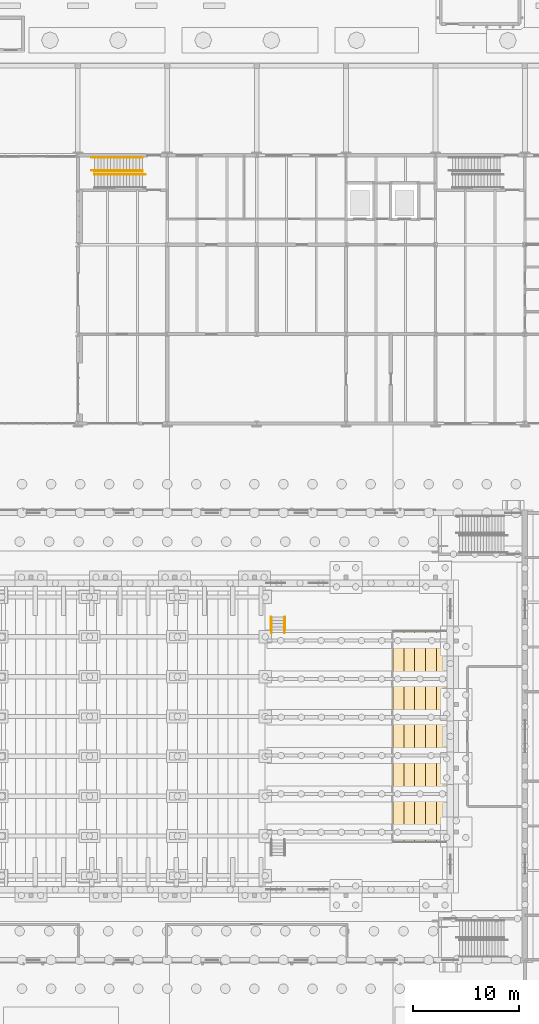
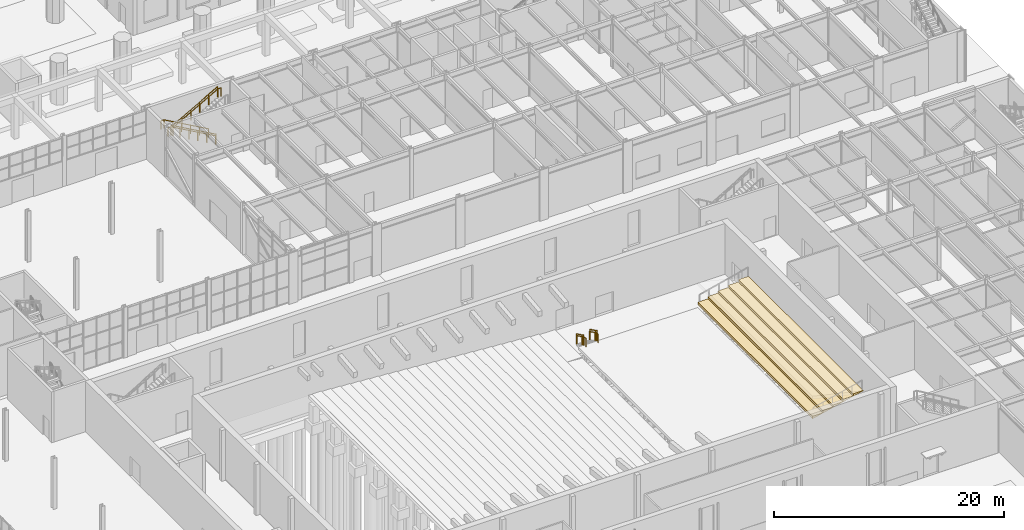
# One storey, part 109 of 127: 9 railings, 1 covering.
"""IFC4 building model written with IfcOpenShell, lengths in metres."""

from ifc_helpers import new_model, si_unit, direction, frame, origin, origin_2d, place, context, subcontext, project, spatial, polyline, circle, outline, extrude, material, layer, layer_set, type_object, element, save


model = new_model("IFC4")

# Units and contexts
model_context = context("Model", 3, precision=1e-05, world=origin(), true_north=direction((0.0, 1.0)))
body_context = subcontext(model_context, "Body", "Model", "MODEL_VIEW")
ifc_project = project(units=[si_unit("LENGTHUNIT", "METRE"), si_unit("AREAUNIT", "SQUARE_METRE"), si_unit("VOLUMEUNIT", "CUBIC_METRE"), si_unit("PLANEANGLEUNIT", "RADIAN"), si_unit("MASSUNIT", "GRAM", prefix="KILO")], contexts=[model_context])

# Site, building, storey
site_placement = place(None, origin())
site = spatial("IfcSite", under=ifc_project, at=site_placement, CompositionType="ELEMENT")
building_placement = place(site_placement, origin())
building = spatial("IfcBuilding", under=site, at=building_placement, Name="Ljudholm Concert House", CompositionType="ELEMENT")
storey_placement = place(building_placement, origin())
storey = spatial("IfcBuildingStorey", under=building, at=storey_placement, Name="L00", CompositionType="ELEMENT", Elevation=0.0)

# Railings
ifc_material_1 = material(Name="Steel ASTM A36", Category="steel")
railing_type_1 = type_object("IfcRailingType", Name="GUARD 1100", PredefinedType="GUARDRAIL", material=ifc_material_1)
railing_1_placement = place(storey_placement, frame((60.47509765625, 128.52490234375, 0.168701171875)))
element("IfcRailing", 1, at=railing_1_placement, inside=storey, type_object=railing_type_1, Name="Guard", PredefinedType="GUARDRAIL", context=body_context, shape_type="SweptSolid", body=[
    extrude(circle(Radius=0.02490234375, at=origin_2d()), frame((0.0, 0.0, 1.0751953125), z_axis=(-0.871569223971, 0.0, 0.490272462847), x_axis=(0.0, -1.0, 0.0)), (0.0, 0.0, 1.0), 1.03271484375),
    extrude(circle(Radius=0.02490234375, at=origin_2d()), frame((-0.900146484375, 0.0, 1.58154296875), z_axis=(-0.871613425205, 0.0, 0.490193876953), x_axis=(0.0, -1.0, 0.0)), (0.0, 0.0, 1.0), 1.032470703125),
    extrude(circle(Radius=0.02490234375, at=origin_2d()), frame((-1.800048828125, 0.0, 2.08740234375), z_axis=(-0.871569223971, 0.0, 0.490272462847), x_axis=(0.0, -1.0, 0.0)), (0.0, 0.0, 1.0), 1.03271484375),
    extrude(circle(Radius=0.02490234375, at=origin_2d()), frame((-2.7001953125, 0.0, 2.59375), z_axis=(-0.871512386077, 0.0, 0.490373491244), x_axis=(0.0, -1.0, 0.0)), (0.0, 0.0, 1.0), 1.032470703125),
    extrude(circle(Radius=0.02490234375, at=origin_2d()), frame((-3.60009765625, 0.0, 3.10009765625), z_axis=(-0.871613425205, 0.0, 0.490193876953), x_axis=(0.0, -1.0, 0.0)), (0.0, 0.0, 1.0), 1.032470703125),
    extrude(circle(Radius=0.02099609375, at=origin_2d()), origin(), (0.0, 0.0, 1.0), 1.050048828125),
    extrude(circle(Radius=0.02099609375, at=origin_2d()), frame((-0.900146484375, 0.0, 0.50634765625)), (0.0, 0.0, 1.0), 1.050048828125),
    extrude(circle(Radius=0.02099609375, at=origin_2d()), frame((-1.800048828125, 0.0, 1.012451171875)), (0.0, 0.0, 1.0), 1.050048828125),
    extrude(circle(Radius=0.02099609375, at=origin_2d()), frame((-2.7001953125, 0.0, 1.518798828125)), (0.0, 0.0, 1.0), 1.050048828125),
    extrude(circle(Radius=0.02099609375, at=origin_2d()), frame((-3.60009765625, 0.0, 2.025146484375)), (0.0, 0.0, 1.0), 1.050048828125),
    extrude(circle(Radius=0.02099609375, at=origin_2d()), frame((-4.5, 0.0, 2.53125)), (0.0, 0.0, 1.0), 1.050048828125),
])
railing_2_placement = place(storey_placement, frame((55.97509765625, 128.22509765625, 2.86865234375)))
element("IfcRailing", 2, at=railing_2_placement, inside=storey, type_object=railing_type_1, Name="Guard", PredefinedType="GUARDRAIL", context=body_context, shape_type="SweptSolid", body=[
    extrude(circle(Radius=0.02490234375, at=origin_2d()), frame((0.0, 0.0, 1.0751953125), z_axis=(0.871512386077, 0.0, 0.490373491244), x_axis=(0.0, 1.0, 0.0)), (0.0, 0.0, 1.0), 1.032470703125),
    extrude(circle(Radius=0.02490234375, at=origin_2d()), frame((0.89990234375, 0.0, 1.58154296875), z_axis=(0.871512386077, 0.0, 0.490373491244), x_axis=(0.0, 1.0, 0.0)), (0.0, 0.0, 1.0), 1.032470703125),
    extrude(circle(Radius=0.02490234375, at=origin_2d()), frame((1.7998046875, 0.0, 2.087890625), z_axis=(0.87167022805, 0.0, 0.49009286215), x_axis=(0.0, 1.0, 0.0)), (0.0, 0.0, 1.0), 1.03271484375),
    extrude(circle(Radius=0.02490234375, at=origin_2d()), frame((2.699951171875, 0.0, 2.59375), z_axis=(0.871512386077, 0.0, 0.490373491244), x_axis=(0.0, 1.0, 0.0)), (0.0, 0.0, 1.0), 1.032470703125),
    extrude(circle(Radius=0.02490234375, at=origin_2d()), frame((3.599853515625, 0.0, 3.10009765625), z_axis=(0.87167022805, 0.0, 0.49009286215), x_axis=(0.0, 1.0, 0.0)), (0.0, 0.0, 1.0), 1.03271484375),
    extrude(circle(Radius=0.02099609375, at=origin_2d()), origin(), (0.0, 0.0, 1.0), 1.050048828125),
    extrude(circle(Radius=0.02099609375, at=origin_2d()), frame((0.89990234375, 0.0, 0.50634765625)), (0.0, 0.0, 1.0), 1.050048828125),
    extrude(circle(Radius=0.02099609375, at=origin_2d()), frame((1.7998046875, 0.0, 1.0126953125)), (0.0, 0.0, 1.0), 1.050048828125),
    extrude(circle(Radius=0.02099609375, at=origin_2d()), frame((2.699951171875, 0.0, 1.518798828125)), (0.0, 0.0, 1.0), 1.050048828125),
    extrude(circle(Radius=0.02099609375, at=origin_2d()), frame((3.599853515625, 0.0, 2.025146484375)), (0.0, 0.0, 1.0), 1.050048828125),
    extrude(circle(Radius=0.02099609375, at=origin_2d()), frame((4.5, 0.0, 2.53125)), (0.0, 0.0, 1.0), 1.050048828125),
])
for number, where, name in (
    (3, (73.875, 86.60009765625, 0.14990234375), "Guard"),
    (4, (72.52490234375, 86.60009765625, 0.14990234375), "Guard"),
):
    element("IfcRailing", number, at=place(storey_placement, frame(where)), inside=storey, type_object=railing_type_1, Name=name, PredefinedType="GUARDRAIL", context=body_context, shape_type="SweptSolid", body=[
        extrude(circle(Radius=0.02490234375, at=origin_2d()), frame((0.0, 0.0, 1.0751953125), z_axis=(0.0, -0.894378670485, 0.447310623372), x_axis=(1.0, 0.0, 0.0)), (0.0, 0.0, 1.0), 1.00634765625),
        extrude(circle(Radius=0.02490234375, at=origin_2d()), frame((0.0, -0.900146484375, 1.525390625), z_axis=(0.0, -0.894572720946, 0.446922417137), x_axis=(1.0, 0.0, 0.0)), (0.0, 0.0, 1.0), 0.33544921875),
        extrude(circle(Radius=0.02099609375, at=origin_2d()), origin(), (0.0, 0.0, 1.0), 1.050048828125),
        extrude(circle(Radius=0.02099609375, at=origin_2d()), frame((0.0, -0.900146484375, 0.4501953125)), (0.0, 0.0, 1.0), 1.050048828125),
        extrude(circle(Radius=0.02099609375, at=origin_2d()), frame((0.0, -1.2001953125, 0.60009765625)), (0.0, 0.0, 1.0), 1.050048828125),
    ])
ifc_material_2 = material(Name="Steel ASTM A36", Category="steel")
railing_type_2 = type_object("IfcRailingType", Name="HANDRAIL 900", PredefinedType="HANDRAIL", material=ifc_material_2)
railing_3_placement = place(storey_placement, frame((60.47509765625, 128.574951171875, 0.168701171875)))
element("IfcRailing", 5, at=railing_3_placement, inside=storey, type_object=railing_type_2, Name="Handrail", PredefinedType="HANDRAIL", context=body_context, shape_type="SweptSolid", body=[
    extrude(circle(Radius=0.0224609375, at=origin_2d()), frame((0.0, 0.0, 0.87744140625), z_axis=(-0.871569223971, 0.0, 0.490272462847), x_axis=(0.0, -1.0, 0.0)), (0.0, 0.0, 1.0), 1.03271484375),
    extrude(circle(Radius=0.0224609375, at=origin_2d()), frame((-0.900146484375, 0.0, 1.3837890625), z_axis=(-0.871613425205, 0.0, 0.490193876953), x_axis=(0.0, -1.0, 0.0)), (0.0, 0.0, 1.0), 1.032470703125),
    extrude(circle(Radius=0.0224609375, at=origin_2d()), frame((-1.800048828125, 0.0, 1.889892578125), z_axis=(-0.871569223971, 0.0, 0.490272462847), x_axis=(0.0, -1.0, 0.0)), (0.0, 0.0, 1.0), 1.03271484375),
    extrude(circle(Radius=0.0224609375, at=origin_2d()), frame((-2.7001953125, 0.0, 2.396240234375), z_axis=(-0.871512386077, 0.0, 0.490373491244), x_axis=(0.0, -1.0, 0.0)), (0.0, 0.0, 1.0), 1.032470703125),
    extrude(circle(Radius=0.0224609375, at=origin_2d()), frame((-3.60009765625, 0.0, 2.902587890625), z_axis=(-0.871613425205, 0.0, 0.490193876953), x_axis=(0.0, -1.0, 0.0)), (0.0, 0.0, 1.0), 1.032470703125),
    extrude(circle(Radius=0.0224609375, at=origin_2d()), frame((-4.5, 0.0, 3.40869140625), z_axis=(-1.0, 0.0, 0.0), x_axis=(0.0, -1.0, 0.0)), (0.0, 0.0, 1.0), 0.300048828125),
    extrude(circle(Radius=0.02099609375, at=origin_2d()), origin(), (0.0, 0.0, 1.0), 0.85498046875),
    extrude(circle(Radius=0.02099609375, at=origin_2d()), frame((-0.900146484375, 0.0, 0.50634765625)), (0.0, 0.0, 1.0), 0.85498046875),
    extrude(circle(Radius=0.02099609375, at=origin_2d()), frame((-1.800048828125, 0.0, 1.012451171875)), (0.0, 0.0, 1.0), 0.85498046875),
    extrude(circle(Radius=0.02099609375, at=origin_2d()), frame((-2.7001953125, 0.0, 1.518798828125)), (0.0, 0.0, 1.0), 0.85498046875),
    extrude(circle(Radius=0.02099609375, at=origin_2d()), frame((-3.60009765625, 0.0, 2.025146484375)), (0.0, 0.0, 1.0), 0.85498046875),
    extrude(circle(Radius=0.02099609375, at=origin_2d()), frame((-4.5, 0.0, 2.53125)), (0.0, 0.0, 1.0), 0.85498046875),
    extrude(circle(Radius=0.02099609375, at=origin_2d()), frame((-4.800048828125, 0.0, 2.53125)), (0.0, 0.0, 1.0), 0.85498046875),
])
railing_4_placement = place(storey_placement, frame((60.47509765625, 129.800048828125, 0.168701171875)))
element("IfcRailing", 6, at=railing_4_placement, inside=storey, type_object=railing_type_2, Name="Handrail", PredefinedType="HANDRAIL", context=body_context, shape_type="SweptSolid", body=[
    extrude(circle(Radius=0.0224609375, at=origin_2d()), frame((0.0, 0.0, 0.87744140625), z_axis=(-0.871569223971, 0.0, 0.490272462847), x_axis=(0.0, -1.0, 0.0)), (0.0, 0.0, 1.0), 1.03271484375),
    extrude(circle(Radius=0.0224609375, at=origin_2d()), frame((-0.900146484375, 0.0, 1.3837890625), z_axis=(-0.871613425205, 0.0, 0.490193876953), x_axis=(0.0, -1.0, 0.0)), (0.0, 0.0, 1.0), 1.032470703125),
    extrude(circle(Radius=0.0224609375, at=origin_2d()), frame((-1.800048828125, 0.0, 1.889892578125), z_axis=(-0.871569223971, 0.0, 0.490272462847), x_axis=(0.0, -1.0, 0.0)), (0.0, 0.0, 1.0), 1.03271484375),
    extrude(circle(Radius=0.0224609375, at=origin_2d()), frame((-2.7001953125, 0.0, 2.396240234375), z_axis=(-0.871512386077, 0.0, 0.490373491244), x_axis=(0.0, -1.0, 0.0)), (0.0, 0.0, 1.0), 1.032470703125),
    extrude(circle(Radius=0.0224609375, at=origin_2d()), frame((-3.60009765625, 0.0, 2.902587890625), z_axis=(-0.871613425205, 0.0, 0.490193876953), x_axis=(0.0, -1.0, 0.0)), (0.0, 0.0, 1.0), 1.032470703125),
    extrude(circle(Radius=0.0224609375, at=origin_2d()), frame((-4.5, 0.0, 3.40869140625), z_axis=(-1.0, 0.0, 0.0), x_axis=(0.0, -1.0, 0.0)), (0.0, 0.0, 1.0), 0.300048828125),
    extrude(circle(Radius=0.02099609375, at=origin_2d()), origin(), (0.0, 0.0, 1.0), 0.85498046875),
    extrude(circle(Radius=0.02099609375, at=origin_2d()), frame((-0.900146484375, 0.0, 0.50634765625)), (0.0, 0.0, 1.0), 0.85498046875),
    extrude(circle(Radius=0.02099609375, at=origin_2d()), frame((-1.800048828125, 0.0, 1.012451171875)), (0.0, 0.0, 1.0), 0.85498046875),
    extrude(circle(Radius=0.02099609375, at=origin_2d()), frame((-2.7001953125, 0.0, 1.518798828125)), (0.0, 0.0, 1.0), 0.85498046875),
    extrude(circle(Radius=0.02099609375, at=origin_2d()), frame((-3.60009765625, 0.0, 2.025146484375)), (0.0, 0.0, 1.0), 0.85498046875),
    extrude(circle(Radius=0.02099609375, at=origin_2d()), frame((-4.5, 0.0, 2.53125)), (0.0, 0.0, 1.0), 0.85498046875),
    extrude(circle(Radius=0.02099609375, at=origin_2d()), frame((-4.800048828125, 0.0, 2.53125)), (0.0, 0.0, 1.0), 0.85498046875),
])
railing_5_placement = place(storey_placement, frame((55.97509765625, 128.175048828125, 2.86865234375)))
element("IfcRailing", 7, at=railing_5_placement, inside=storey, type_object=railing_type_2, Name="Handrail", PredefinedType="HANDRAIL", context=body_context, shape_type="SweptSolid", body=[
    extrude(circle(Radius=0.0224609375, at=origin_2d()), frame((0.0, 0.0, 0.87744140625), z_axis=(0.871512386077, 0.0, 0.490373491244), x_axis=(0.0, 1.0, 0.0)), (0.0, 0.0, 1.0), 1.032470703125),
    extrude(circle(Radius=0.0224609375, at=origin_2d()), frame((0.89990234375, 0.0, 1.3837890625), z_axis=(0.871512386077, 0.0, 0.490373491244), x_axis=(0.0, 1.0, 0.0)), (0.0, 0.0, 1.0), 1.032470703125),
    extrude(circle(Radius=0.0224609375, at=origin_2d()), frame((1.7998046875, 0.0, 1.89013671875), z_axis=(0.87167022805, 0.0, 0.49009286215), x_axis=(0.0, 1.0, 0.0)), (0.0, 0.0, 1.0), 1.03271484375),
    extrude(circle(Radius=0.0224609375, at=origin_2d()), frame((2.699951171875, 0.0, 2.396240234375), z_axis=(0.871512386077, 0.0, 0.490373491244), x_axis=(0.0, 1.0, 0.0)), (0.0, 0.0, 1.0), 1.032470703125),
    extrude(circle(Radius=0.0224609375, at=origin_2d()), frame((3.599853515625, 0.0, 2.902587890625), z_axis=(0.87167022805, 0.0, 0.49009286215), x_axis=(0.0, 1.0, 0.0)), (0.0, 0.0, 1.0), 1.03271484375),
    extrude(circle(Radius=0.0224609375, at=origin_2d()), frame((4.5, 0.0, 3.40869140625), z_axis=(1.0, 0.0, 0.0), x_axis=(0.0, 1.0, 0.0)), (0.0, 0.0, 1.0), 0.2998046875),
    extrude(circle(Radius=0.02099609375, at=origin_2d()), origin(), (0.0, 0.0, 1.0), 0.85498046875),
    extrude(circle(Radius=0.02099609375, at=origin_2d()), frame((0.89990234375, 0.0, 0.50634765625)), (0.0, 0.0, 1.0), 0.85498046875),
    extrude(circle(Radius=0.02099609375, at=origin_2d()), frame((1.7998046875, 0.0, 1.0126953125)), (0.0, 0.0, 1.0), 0.85498046875),
    extrude(circle(Radius=0.02099609375, at=origin_2d()), frame((2.699951171875, 0.0, 1.518798828125)), (0.0, 0.0, 1.0), 0.85498046875),
    extrude(circle(Radius=0.02099609375, at=origin_2d()), frame((3.599853515625, 0.0, 2.025146484375)), (0.0, 0.0, 1.0), 0.85498046875),
    extrude(circle(Radius=0.02099609375, at=origin_2d()), frame((4.5, 0.0, 2.53125)), (0.0, 0.0, 1.0), 0.85498046875),
    extrude(circle(Radius=0.02099609375, at=origin_2d()), frame((4.7998046875, 0.0, 2.53125)), (0.0, 0.0, 1.0), 0.85498046875),
])
for number, where, name in (
    (8, (73.824951171875, 86.60009765625, 0.14990234375), "Handrail"),
    (9, (72.574951171875, 86.60009765625, 0.14990234375), "Handrail"),
):
    element("IfcRailing", number, at=place(storey_placement, frame(where)), inside=storey, type_object=railing_type_2, Name=name, PredefinedType="HANDRAIL", context=body_context, shape_type="SweptSolid", body=[
        extrude(circle(Radius=0.0224609375, at=origin_2d()), frame((0.0, 0.0, 0.87744140625), z_axis=(0.0, -0.894378670485, 0.447310623372), x_axis=(1.0, 0.0, 0.0)), (0.0, 0.0, 1.0), 1.00634765625),
        extrude(circle(Radius=0.0224609375, at=origin_2d()), frame((0.0, -0.900146484375, 1.32763671875), z_axis=(0.0, -0.894572720946, 0.446922417137), x_axis=(1.0, 0.0, 0.0)), (0.0, 0.0, 1.0), 0.33544921875),
        extrude(circle(Radius=0.0224609375, at=origin_2d()), frame((0.0, -1.2001953125, 1.4775390625), z_axis=(0.0, -1.0, 0.0), x_axis=(1.0, 0.0, 0.0)), (0.0, 0.0, 1.0), 0.2998046875),
        extrude(circle(Radius=0.02099609375, at=origin_2d()), origin(), (0.0, 0.0, 1.0), 0.85498046875),
        extrude(circle(Radius=0.02099609375, at=origin_2d()), frame((0.0, -0.900146484375, 0.4501953125)), (0.0, 0.0, 1.0), 0.85498046875),
        extrude(circle(Radius=0.02099609375, at=origin_2d()), frame((0.0, -1.2001953125, 0.60009765625)), (0.0, 0.0, 1.0), 0.85498046875),
        extrude(circle(Radius=0.02099609375, at=origin_2d()), frame((0.0, -1.5, 0.60009765625)), (0.0, 0.0, 1.0), 0.85498046875),
    ])

# Covering
ifc_material_3 = material(Name="Timber seating tread", Category="wood")
ifc_layer = layer(ifc_material_3, 0.030029296875)
ifc_layer_set = layer_set([ifc_layer], Name="Timber seating tread")
covering_type = type_object("IfcCoveringType", Name="TIMBER SEATING TREAD FLOOR FINISH 30", PredefinedType="FLOORING", material=ifc_layer_set)
covering_placement = place(storey_placement, frame((84.0, 75.39990234375, 0.0), z_axis=(0.0, 0.0, 1.0), x_axis=(1.0, 0.0, 0.0)))
element("IfcCovering", 10, at=covering_placement, inside=storey, type_object=covering_type, Name="Choir seating steps", PredefinedType="FLOORING", context=body_context, shape_type="SweptSolid", body=[
    extrude(outline(polyline([(0.0, 1.050048828125), (5.10009765625, 2.25), (5.10009765625, 2.280029296875), (4.080078125, 2.280029296875), (4.080078125, 2.0400390625), (3.06005859375, 2.0400390625), (3.06005859375, 1.800048828125), (2.0400390625, 1.800048828125), (2.0400390625, 1.56005859375), (1.02001953125, 1.56005859375), (1.02001953125, 1.320068359375), (0.0, 1.320068359375), (0.0, 1.050048828125)])), frame((0.0, 10.0, 0.0), z_axis=(0.0, -1.0, 0.0), x_axis=(1.0, 0.0, 0.0)), (0.0, 0.0, 1.0), 20.0),
])

save(model, "model.ifc")
